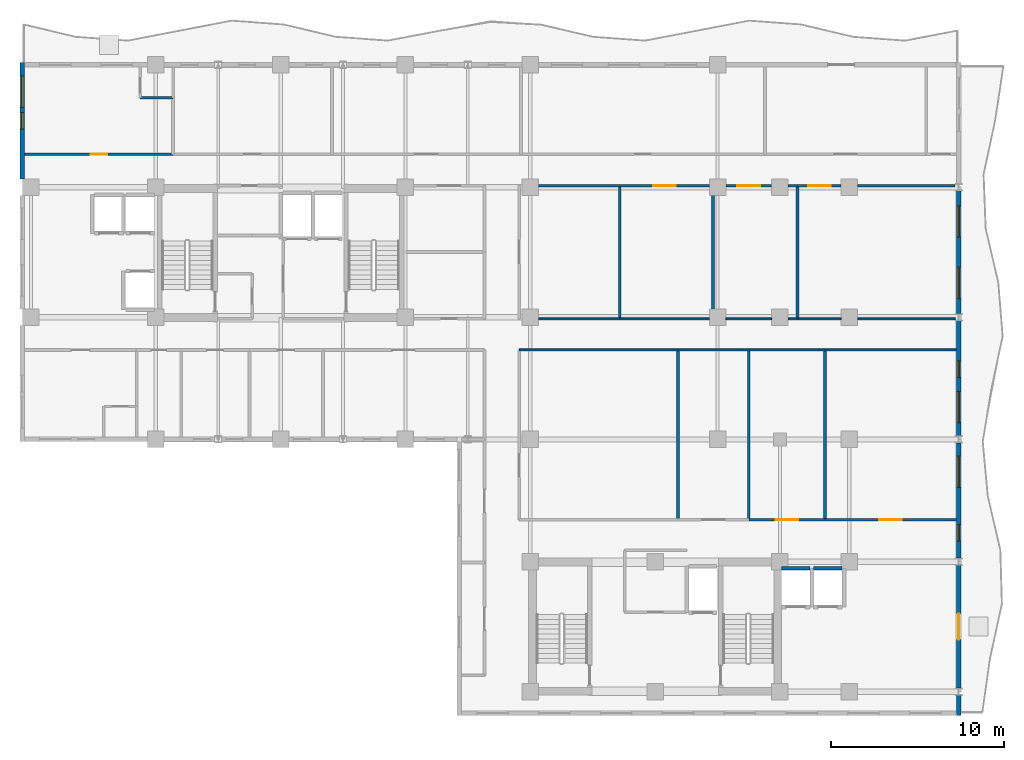
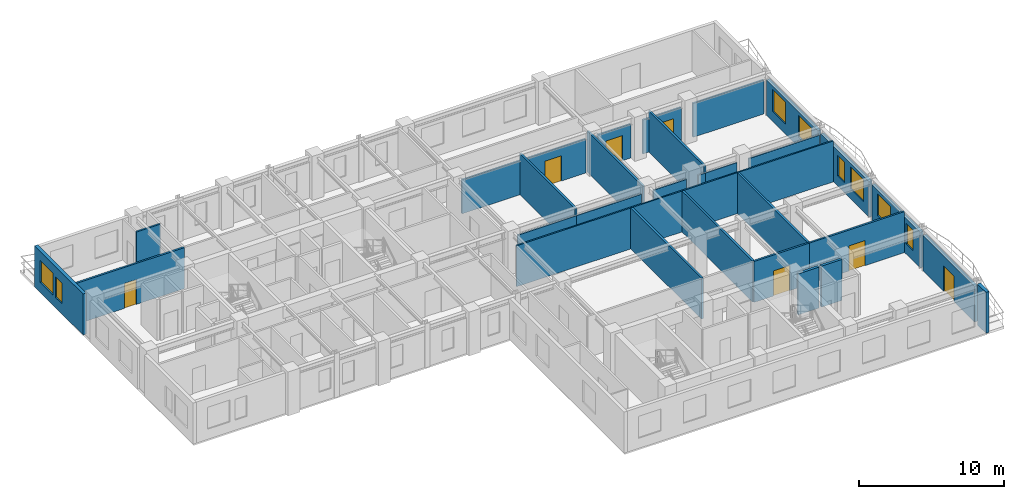
# One storey, part 8 of 13: 34 walls, 8 windows, 7 doors, 15 openings.
"""IFC4 building model written with IfcOpenShell, lengths in metres."""

import ifcopenshell
import ifcopenshell.guid

model = None  # the IFC model being written
_history = None  # IfcOwnerHistory: only IFC2X3 demands one
_inside = {}  # id of a spatial element -> (the spatial element, [elements in it])
_under = {}  # id of a project, library or spatial element -> (it, [spatial elements below it])
_declared = {}  # id of a project -> (the project, [libraries it declares])
_typed = {}  # id of a type object -> (the type object, [elements of that type])
_made_of = {}  # id of a material, layer set ... -> (it, [elements and type objects made of it])


def new_model(schema):
    """Start an empty IFC model of exactly this schema.

    Asked for "IFC4X3", IfcOpenShell would pick the latest addendum, in which some entities
    have other attributes; the version numbers below select the first issue.
    IFC2X3 requires an IfcOwnerHistory on every rooted entity: one is made here for all.
    """
    global model, _history
    if schema == "IFC4X3":
        model = ifcopenshell.file(schema_version=(4, 3, 0, 0))
    else:
        model = ifcopenshell.file(schema=schema)
    _inside.clear()
    _under.clear()
    _declared.clear()
    _typed.clear()
    _made_of.clear()
    _history = None
    if model.schema == "IFC2X3":
        org = make("IfcOrganization", Name="unknown")
        user = make(
            "IfcPersonAndOrganization",
            ThePerson=make("IfcPerson", FamilyName="unknown"),
            TheOrganization=org,
        )
        app = make(
            "IfcApplication",
            ApplicationDeveloper=org,
            Version="unknown",
            ApplicationFullName="unknown",
            ApplicationIdentifier="unknown",
        )
        _history = make(
            "IfcOwnerHistory",
            OwningUser=user,
            OwningApplication=app,
            ChangeAction="ADDED",
            CreationDate=0,
        )
    return model


def make(cls, **values):
    """One entity of the class cls with the attributes given. An attribute that is None is left unset."""
    return model.create_entity(
        cls, **{name: value for name, value in values.items() if value is not None}
    )


def rooted(cls, **values):
    """An entity with a GlobalId (a new one), such as an element, a storey or a relation."""
    return make(cls, GlobalId=ifcopenshell.guid.new(), OwnerHistory=_history, **values)


def si_unit(unit_type, name, prefix=None):
    """IfcSIUnit, for example si_unit("LENGTHUNIT", "METRE", prefix="MILLI")."""
    return make("IfcSIUnit", UnitType=unit_type, Prefix=prefix, Name=name)


def assignment(units):
    """IfcUnitAssignment: the units of a project."""
    return None if units is None else make("IfcUnitAssignment", Units=units)


def point(xyz):
    """IfcCartesianPoint."""
    return None if xyz is None else make("IfcCartesianPoint", Coordinates=xyz)


def direction(xyz):
    """IfcDirection."""
    return None if xyz is None else make("IfcDirection", DirectionRatios=xyz)


def frame(location, z_axis=None, x_axis=None):
    """IfcAxis2Placement3D, a coordinate frame: its origin and axes. An axis left out is left unset."""
    return make(
        "IfcAxis2Placement3D",
        Location=point(location),
        Axis=direction(z_axis),
        RefDirection=direction(x_axis),
    )


def frame_2d(location, x_axis=None):
    """IfcAxis2Placement2D, a coordinate frame in the plane: its origin and x axis."""
    return make(
        "IfcAxis2Placement2D", Location=point(location), RefDirection=direction(x_axis)
    )


def origin():
    """The frame at (0, 0, 0) with its axes left unset."""
    return frame((0.0, 0.0, 0.0))


def place(relative_to, where):
    """IfcLocalPlacement: puts the frame where relative to a parent placement (None: the world)."""
    return make(
        "IfcLocalPlacement", PlacementRelTo=relative_to, RelativePlacement=where
    )


def context(
    kind, dimensions, precision=None, world=None, true_north=None, identifier=None
):
    """IfcGeometricRepresentationContext, for example the 3D "Model" context."""
    return make(
        "IfcGeometricRepresentationContext",
        ContextIdentifier=identifier,
        ContextType=kind,
        CoordinateSpaceDimension=dimensions,
        Precision=precision,
        WorldCoordinateSystem=world,
        TrueNorth=true_north,
    )


def subcontext(parent, identifier, kind, view, scale=None):
    """IfcGeometricRepresentationSubContext, for example "Body" below "Model"."""
    return make(
        "IfcGeometricRepresentationSubContext",
        ContextIdentifier=identifier,
        ContextType=kind,
        ParentContext=parent,
        TargetScale=scale,
        TargetView=view,
    )


def project(units=None, contexts=None):
    """IfcProject with its units and contexts."""
    return rooted(
        "IfcProject",
        Name="project",
        RepresentationContexts=contexts,
        UnitsInContext=assignment(units),
    )


def spatial(cls, under=None, at=None, **own):
    """A site, building, storey or space (cls), placed at a placement, below another one or the project."""
    s = rooted(cls, ObjectPlacement=at, **own)
    if under is not None:
        _under.setdefault(under.id(), (under, []))[1].append(s)
    return s


def profile(cls, at=None, kind="AREA", **sizes):
    """A parametric profile (cls). Its sizes go by their IFC names, for example OverallWidth=200.0."""
    return make(cls, ProfileType=kind, Position=at, **sizes)


def rectangle(**sizes):
    """IfcRectangleProfileDef."""
    return profile("IfcRectangleProfileDef", **sizes)


def extrude(swept, where, along, depth):
    """IfcExtrudedAreaSolid: the profile swept, set in the frame where, extruded along a direction by depth."""
    return make(
        "IfcExtrudedAreaSolid",
        SweptArea=swept,
        Position=where,
        ExtrudedDirection=direction(along),
        Depth=depth,
    )


def shape(context_of_items, identifier, shape_type, items):
    """IfcShapeRepresentation: the items that make up one representation, for example the "Body"."""
    return make(
        "IfcShapeRepresentation",
        ContextOfItems=context_of_items,
        RepresentationIdentifier=identifier,
        RepresentationType=shape_type,
        Items=items,
    )


def material(Name=None, Category=None):
    """IfcMaterial."""
    return make("IfcMaterial", Name=Name, Category=Category)


def layer(
    of_material, thickness, ventilated=None, Name=None, Category=None, Priority=None
):
    """IfcMaterialLayer: one layer of a wall or slab, of a material (None: an air gap)."""
    return make(
        "IfcMaterialLayer",
        Material=of_material,
        LayerThickness=thickness,
        IsVentilated=ventilated,
        Name=Name,
        Category=Category,
        Priority=Priority,
    )


def layer_set(layers, Name=None):
    """IfcMaterialLayerSet."""
    return make("IfcMaterialLayerSet", MaterialLayers=layers, LayerSetName=Name)


def made_of(thing, what):
    """Note that an element or type object is made of a material, layer set ...; save() writes the relation."""
    if what is not None:
        _made_of.setdefault(what.id(), (what, []))[1].append(thing)
    return thing


def type_object(cls, material=None, **own):
    """A type object (cls), such as IfcWallType, which elements share."""
    return made_of(rooted(cls, **own), material)


def element(
    cls,
    number,
    at=None,
    inside=None,
    cuts=None,
    type_object=None,
    material=None,
    context=None,
    identifier="Body",
    shape_type=None,
    held_by="IfcProductDefinitionShape",
    body=None,
    shapes=None,
    **own,
):
    """One element of the class cls, such as IfcWall. Its Tag is "e" and its number.

    at: its placement. inside: the storey or other place that contains it. cuts: it is an
    opening in that element (IfcRelVoidsElement). A single representation is given by context,
    identifier, shape_type and body (its items); several are given by shapes. held_by: the class
    of the entity that holds the representations. save() writes the other relations.
    """
    e = rooted(cls, Tag="e%d" % number, ObjectPlacement=at, **own)
    if body is not None:
        shapes = [shape(context, identifier, shape_type, body)]
    if shapes is not None:
        e.Representation = make(held_by, Representations=shapes)
    if inside is not None:
        _inside.setdefault(inside.id(), (inside, []))[1].append(e)
    if cuts is not None:
        rooted(
            "IfcRelVoidsElement", RelatingBuildingElement=cuts, RelatedOpeningElement=e
        )
    if type_object is not None:
        _typed.setdefault(type_object.id(), (type_object, []))[1].append(e)
    return made_of(e, material)


def fill(opening, filler):
    """IfcRelFillsElement: the door or window that sits in an opening."""
    return rooted(
        "IfcRelFillsElement",
        RelatingOpeningElement=opening,
        RelatedBuildingElement=filler,
    )


def aggregate(whole, parts):
    """IfcRelAggregates: a whole, such as a stair, and the parts it consists of."""
    return rooted("IfcRelAggregates", RelatingObject=whole, RelatedObjects=parts)


def save(model, path):
    """Write the relations noted so far, then the file.

    IfcRelAggregates (storeys below a building ...), IfcRelContainedInSpatialStructure (elements
    in a storey), IfcRelDefinesByType, IfcRelAssociatesMaterial and IfcRelDeclares: one each for
    every whole, place, type object, material and project.
    """
    for whole, parts in _under.values():
        aggregate(whole, parts)
    for where, things in _inside.values():
        rooted(
            "IfcRelContainedInSpatialStructure",
            RelatedElements=things,
            RelatingStructure=where,
        )
    for kind, things in _typed.values():
        rooted("IfcRelDefinesByType", RelatedObjects=things, RelatingType=kind)
    for what, things in _made_of.values():
        rooted("IfcRelAssociatesMaterial", RelatedObjects=things, RelatingMaterial=what)
    for by, libraries in _declared.values():
        rooted("IfcRelDeclares", RelatingContext=by, RelatedDefinitions=libraries)
    model.write(path)


model = new_model("IFC4")

# Units and contexts
model_context = context("Model", 3, precision=1e-05, world=origin(), true_north=direction((0.0, 1.0)))
body_context = subcontext(model_context, "Body", "Model", "MODEL_VIEW")
ifc_project = project(units=[si_unit("LENGTHUNIT", "METRE"), si_unit("AREAUNIT", "SQUARE_METRE"), si_unit("VOLUMEUNIT", "CUBIC_METRE"), si_unit("PLANEANGLEUNIT", "RADIAN"), si_unit("MASSUNIT", "GRAM", prefix="KILO")], contexts=[model_context])

# Site, building, storey
site_placement = place(None, origin())
site = spatial("IfcSite", under=ifc_project, at=site_placement, CompositionType="ELEMENT")
building_placement = place(site_placement, origin())
building = spatial("IfcBuilding", under=site, at=building_placement, Name="Kaliganga Portal Commons", CompositionType="ELEMENT")
storey_placement = place(building_placement, frame((0.0, 0.0, 209.199951171875)))
storey = spatial("IfcBuildingStorey", under=building, at=storey_placement, Name="L53", CompositionType="ELEMENT", Elevation=209.199951171875)

# Wall
ifc_material_1 = material(Name="Insulated Aluminium-Clad Spandrel Assembly", Category="aluminium")
ifc_layer_1 = layer(ifc_material_1, 0.260009765625)
ifc_layer_set_1 = layer_set([ifc_layer_1], Name="Insulated Aluminium-Clad Spandrel Assembly")
wall_type_1 = type_object("IfcWallType", Name="WL-EXT-SPAND-260", PredefinedType="STANDARD", material=ifc_layer_set_1)
wall_1_placement = place(storey_placement, frame((60.699951171875, 6.84912109375, 0.0), z_axis=(0.0, 0.0, 1.0), x_axis=(0.0, -1.0, 0.0)))
element("IfcWall", 1, at=wall_1_placement, inside=storey, type_object=wall_type_1, Name="Exterior Envelope Wall L53 P1-E01-S1", PredefinedType="STANDARD", context=body_context, shape_type="SweptSolid", body=[
    extrude(rectangle(XDim=1.17919921875, YDim=0.260009765625, at=frame_2d((0.589599609375, 0.0))), origin(), (0.0, 0.0, 1.0), 3.449951171875),
])

# Wall, opening, door
wall_2_placement = place(storey_placement, frame((60.699951171875, 14.34912109375, 0.0), z_axis=(0.0, 0.0, 1.0), x_axis=(0.0, -1.0, 0.0)))
wall_2 = element("IfcWall", 2, at=wall_2_placement, inside=storey, type_object=wall_type_1, Name="Exterior Envelope Wall L53 P1-E01-S2", PredefinedType="STANDARD", context=body_context, shape_type="SweptSolid", body=[
    extrude(rectangle(XDim=7.09814453125, YDim=0.260009765625, at=frame_2d((3.549072265625, 0.0))), origin(), (0.0, 0.0, 1.0), 3.0),
])
opening_1_placement = place(wall_2_placement, frame((2.799072265625, 0.0, 0.0)))
opening_1 = element("IfcOpeningElement", 3, at=opening_1_placement, cuts=wall_2, Name="Opening BD-01", PredefinedType="OPENING", context=body_context, shape_type="SweptSolid", body=[
    extrude(rectangle(XDim=1.5, YDim=2.14990234375, at=frame_2d((0.75, 1.074951171875))), frame((0.0, 0.14013671875, 0.0), z_axis=(0.0, -1.0, 0.0), x_axis=(1.0, 0.0, 0.0)), (0.0, 0.0, 1.0), 0.280029296875),
])
ifc_material_2 = material(Name="Anodized Aluminium and Laminated Safety Glass", Category="aluminium")
door_type_1 = type_object("IfcDoorType", Name="DR-BALC-1500", OperationType="SLIDING_TO_LEFT", PredefinedType="DOOR", material=ifc_material_2)
door_1_placement = place(opening_1_placement, origin())
door_1 = element("IfcDoor", 4, at=door_1_placement, inside=storey, type_object=door_type_1, Name="Balcony Sliding Door L53 balc_east", OperationType="SLIDING_TO_LEFT", OverallHeight=2.14990234375, OverallWidth=1.5, PredefinedType="DOOR", context=body_context, shape_type="SweptSolid", body=[
    extrude(rectangle(XDim=1.5, YDim=2.14990234375, at=frame_2d((0.75, 1.074951171875))), frame((0.0, 0.02490234375, 0.0), z_axis=(0.0, -1.0, 0.0), x_axis=(1.0, 0.0, 0.0)), (0.0, 0.0, 1.0), 0.050048828125),
])
fill(opening_1, door_1)

# Wall, openings, windows
wall_3_placement = place(storey_placement, frame((60.699951171875, 21.39892578125, 0.0), z_axis=(0.0, 0.0, 1.0), x_axis=(0.0, -1.0, 0.0)))
wall_3 = element("IfcWall", 5, at=wall_3_placement, inside=storey, type_object=wall_type_1, Name="Exterior Envelope Wall L53 P1-E01-S3", PredefinedType="STANDARD", context=body_context, shape_type="SweptSolid", body=[
    extrude(rectangle(XDim=6.64794921875, YDim=0.260009765625, at=frame_2d((3.323974609375, 0.0))), origin(), (0.0, 0.0, 1.0), 3.0),
])
opening_2_placement = place(wall_3_placement, frame((0.761962890625, 0.0, 0.85009765625)))
opening_2 = element("IfcOpeningElement", 6, at=opening_2_placement, cuts=wall_3, Name="Opening W-01", PredefinedType="OPENING", context=body_context, shape_type="SweptSolid", body=[
    extrude(rectangle(XDim=1.800048828125, YDim=1.85009765625, at=frame_2d((0.89990234375, 0.925048828125))), frame((0.0, 0.14013671875, 0.0), z_axis=(0.0, -1.0, 0.0), x_axis=(1.0, 0.0, 0.0)), (0.0, 0.0, 1.0), 0.280029296875),
])
opening_3_placement = place(wall_3_placement, frame((4.71044921875, 0.0, 0.85009765625)))
opening_3 = element("IfcOpeningElement", 7, at=opening_3_placement, cuts=wall_3, Name="Opening W-04", PredefinedType="OPENING", context=body_context, shape_type="SweptSolid", body=[
    extrude(rectangle(XDim=0.949951171875, YDim=1.75, at=frame_2d((0.47509765625, 0.875))), frame((0.0, 0.14013671875, 0.0), z_axis=(0.0, -1.0, 0.0), x_axis=(1.0, 0.0, 0.0)), (0.0, 0.0, 1.0), 0.280029296875),
])
ifc_material_3 = material(Name="Thermally Broken Aluminium and Low-E Double Glazing", Category="aluminium")
window_type_1 = type_object("IfcWindowType", Name="WIN-NARROW-950", PartitioningType="SINGLE_PANEL", PredefinedType="WINDOW", material=ifc_material_3)
window_1_placement = place(opening_3_placement, origin())
window_1 = element("IfcWindow", 8, at=window_1_placement, inside=storey, type_object=window_type_1, Name="Facade Window L53-P1E01S3-N10", OverallHeight=1.75, OverallWidth=0.949951171875, PartitioningType="SINGLE_PANEL", PredefinedType="WINDOW", context=body_context, shape_type="SweptSolid", body=[
    extrude(rectangle(XDim=0.949951171875, YDim=1.75, at=frame_2d((0.47509765625, 0.875))), frame((0.0, 0.030029296875, 0.0), z_axis=(0.0, -1.0, 0.0), x_axis=(1.0, 0.0, 0.0)), (0.0, 0.0, 1.0), 0.06005859375),
])
fill(opening_3, window_1)
window_type_2 = type_object("IfcWindowType", Name="WIN-STD-1800", PartitioningType="DOUBLE_PANEL_VERTICAL", PredefinedType="WINDOW", material=ifc_material_3)
window_2_placement = place(opening_2_placement, origin())
window_2 = element("IfcWindow", 9, at=window_2_placement, inside=storey, type_object=window_type_2, Name="Facade Window L53-P1E01S3-00", OverallHeight=1.85009765625, OverallWidth=1.800048828125, PartitioningType="SINGLE_PANEL", PredefinedType="WINDOW", context=body_context, shape_type="SweptSolid", body=[
    extrude(rectangle(XDim=1.800048828125, YDim=1.85009765625, at=frame_2d((0.89990234375, 0.925048828125))), frame((0.0, 0.030029296875, 0.0), z_axis=(0.0, -1.0, 0.0), x_axis=(1.0, 0.0, 0.0)), (0.0, 0.0, 1.0), 0.06005859375),
])
fill(opening_2, window_2)

wall_4_placement = place(storey_placement, frame((60.699951171875, 28.448974609375, 0.0), z_axis=(0.0, 0.0, 1.0), x_axis=(0.0, -1.0, 0.0)))
wall_4 = element("IfcWall", 10, at=wall_4_placement, inside=storey, type_object=wall_type_1, Name="Exterior Envelope Wall L53 P1-E01-S4", PredefinedType="STANDARD", context=body_context, shape_type="SweptSolid", body=[
    extrude(rectangle(XDim=6.64794921875, YDim=0.260009765625, at=frame_2d((3.323974609375, 0.0))), origin(), (0.0, 0.0, 1.0), 3.0),
])
opening_4_placement = place(wall_4_placement, frame((4.0859375, 0.0, 0.85009765625)))
opening_4 = element("IfcOpeningElement", 11, at=opening_4_placement, cuts=wall_4, Name="Opening W-01", PredefinedType="OPENING", context=body_context, shape_type="SweptSolid", body=[
    extrude(rectangle(XDim=1.800048828125, YDim=1.85009765625, at=frame_2d((0.89990234375, 0.925048828125))), frame((0.0, 0.14013671875, 0.0), z_axis=(0.0, -1.0, 0.0), x_axis=(1.0, 0.0, 0.0)), (0.0, 0.0, 1.0), 0.280029296875),
])
opening_5_placement = place(wall_4_placement, frame((2.317138671875, 0.0, 0.85009765625)))
opening_5 = element("IfcOpeningElement", 12, at=opening_5_placement, cuts=wall_4, Name="Opening W-04", PredefinedType="OPENING", context=body_context, shape_type="SweptSolid", body=[
    extrude(rectangle(XDim=0.949951171875, YDim=1.75, at=frame_2d((0.47509765625, 0.875))), frame((0.0, 0.14013671875, 0.0), z_axis=(0.0, -1.0, 0.0), x_axis=(1.0, 0.0, 0.0)), (0.0, 0.0, 1.0), 0.280029296875),
])
window_3_placement = place(opening_5_placement, origin())
window_3 = element("IfcWindow", 13, at=window_3_placement, inside=storey, type_object=window_type_1, Name="Facade Window L53-P1E01S4-N5", OverallHeight=1.75, OverallWidth=0.949951171875, PartitioningType="SINGLE_PANEL", PredefinedType="WINDOW", context=body_context, shape_type="SweptSolid", body=[
    extrude(rectangle(XDim=0.949951171875, YDim=1.75, at=frame_2d((0.47509765625, 0.875))), frame((0.0, 0.030029296875, 0.0), z_axis=(0.0, -1.0, 0.0), x_axis=(1.0, 0.0, 0.0)), (0.0, 0.0, 1.0), 0.06005859375),
])
fill(opening_5, window_3)
window_4_placement = place(opening_4_placement, origin())
window_4 = element("IfcWindow", 14, at=window_4_placement, inside=storey, type_object=window_type_2, Name="Facade Window L53-P1E01S4-01", OverallHeight=1.85009765625, OverallWidth=1.800048828125, PartitioningType="SINGLE_PANEL", PredefinedType="WINDOW", context=body_context, shape_type="SweptSolid", body=[
    extrude(rectangle(XDim=1.800048828125, YDim=1.85009765625, at=frame_2d((0.89990234375, 0.925048828125))), frame((0.0, 0.030029296875, 0.0), z_axis=(0.0, -1.0, 0.0), x_axis=(1.0, 0.0, 0.0)), (0.0, 0.0, 1.0), 0.06005859375),
])
fill(opening_4, window_4)

wall_5_placement = place(storey_placement, frame((60.699951171875, 35.948974609375, 0.0), z_axis=(0.0, 0.0, 1.0), x_axis=(0.0, -1.0, 0.0)))
wall_5 = element("IfcWall", 15, at=wall_5_placement, inside=storey, type_object=wall_type_1, Name="Exterior Envelope Wall L53 P1-E01-S5", PredefinedType="STANDARD", context=body_context, shape_type="SweptSolid", body=[
    extrude(rectangle(XDim=7.097900390625, YDim=0.260009765625, at=frame_2d((3.548828125, 0.0))), origin(), (0.0, 0.0, 1.0), 3.0),
])
opening_6_placement = place(wall_5_placement, frame((0.87451171875, 0.0, 0.85009765625)))
opening_6 = element("IfcOpeningElement", 16, at=opening_6_placement, cuts=wall_5, Name="Opening W-01", PredefinedType="OPENING", context=body_context, shape_type="SweptSolid", body=[
    extrude(rectangle(XDim=1.800048828125, YDim=1.85009765625, at=frame_2d((0.89990234375, 0.925048828125))), frame((0.0, 0.14013671875, 0.0), z_axis=(0.0, -1.0, 0.0), x_axis=(1.0, 0.0, 0.0)), (0.0, 0.0, 1.0), 0.280029296875),
])
opening_7_placement = place(wall_5_placement, frame((4.423583984375, 0.0, 0.85009765625)))
opening_7 = element("IfcOpeningElement", 17, at=opening_7_placement, cuts=wall_5, Name="Opening W-01", PredefinedType="OPENING", context=body_context, shape_type="SweptSolid", body=[
    extrude(rectangle(XDim=1.800048828125, YDim=1.85009765625, at=frame_2d((0.89990234375, 0.925048828125))), frame((0.0, 0.14013671875, 0.0), z_axis=(0.0, -1.0, 0.0), x_axis=(1.0, 0.0, 0.0)), (0.0, 0.0, 1.0), 0.280029296875),
])
window_5_placement = place(opening_6_placement, origin())
window_5 = element("IfcWindow", 18, at=window_5_placement, inside=storey, type_object=window_type_2, Name="Facade Window L53-P1E01S5-00", OverallHeight=1.85009765625, OverallWidth=1.800048828125, PartitioningType="SINGLE_PANEL", PredefinedType="WINDOW", context=body_context, shape_type="SweptSolid", body=[
    extrude(rectangle(XDim=1.800048828125, YDim=1.85009765625, at=frame_2d((0.89990234375, 0.925048828125))), frame((0.0, 0.030029296875, 0.0), z_axis=(0.0, -1.0, 0.0), x_axis=(1.0, 0.0, 0.0)), (0.0, 0.0, 1.0), 0.06005859375),
])
fill(opening_6, window_5)
window_6_placement = place(opening_7_placement, origin())
window_6 = element("IfcWindow", 19, at=window_6_placement, inside=storey, type_object=window_type_2, Name="Facade Window L53-P1E01S5-01", OverallHeight=1.85009765625, OverallWidth=1.800048828125, PartitioningType="SINGLE_PANEL", PredefinedType="WINDOW", context=body_context, shape_type="SweptSolid", body=[
    extrude(rectangle(XDim=1.800048828125, YDim=1.85009765625, at=frame_2d((0.89990234375, 0.925048828125))), frame((0.0, 0.030029296875, 0.0), z_axis=(0.0, -1.0, 0.0), x_axis=(1.0, 0.0, 0.0)), (0.0, 0.0, 1.0), 0.06005859375),
])
fill(opening_7, window_6)

wall_6_placement = place(storey_placement, frame((6.699951171875, 36.6259765625, 0.0), z_axis=(0.0, 0.0, 1.0), x_axis=(0.0, 1.0, 0.0)))
wall_6 = element("IfcWall", 20, at=wall_6_placement, inside=storey, type_object=wall_type_1, Name="Exterior Envelope Wall L53 P1-E03-S1", PredefinedType="STANDARD", context=body_context, shape_type="SweptSolid", body=[
    extrude(rectangle(XDim=6.7041015625, YDim=0.260009765625, at=frame_2d((3.35205078125, 0.0))), origin(), (0.0, 0.0, 1.0), 3.449951171875),
])
opening_8_placement = place(wall_6_placement, frame((4.1279296875, 0.0, 0.85009765625)))
opening_8 = element("IfcOpeningElement", 21, at=opening_8_placement, cuts=wall_6, Name="Opening W-01", PredefinedType="OPENING", context=body_context, shape_type="SweptSolid", body=[
    extrude(rectangle(XDim=1.800048828125, YDim=1.85009765625, at=frame_2d((0.89990234375, 0.925048828125))), frame((0.0, 0.14013671875, 0.0), z_axis=(0.0, -1.0, 0.0), x_axis=(1.0, 0.0, 0.0)), (0.0, 0.0, 1.0), 0.280029296875),
])
opening_9_placement = place(wall_6_placement, frame((2.876953125, 0.0, 0.85009765625)))
opening_9 = element("IfcOpeningElement", 22, at=opening_9_placement, cuts=wall_6, Name="Opening W-04", PredefinedType="OPENING", context=body_context, shape_type="SweptSolid", body=[
    extrude(rectangle(XDim=0.949951171875, YDim=1.75, at=frame_2d((0.47509765625, 0.875))), frame((0.0, 0.14013671875, 0.0), z_axis=(0.0, -1.0, 0.0), x_axis=(1.0, 0.0, 0.0)), (0.0, 0.0, 1.0), 0.280029296875),
])
window_7_placement = place(opening_9_placement, origin())
window_7 = element("IfcWindow", 23, at=window_7_placement, inside=storey, type_object=window_type_1, Name="Facade Window L53-P1E03S1-N0", OverallHeight=1.75, OverallWidth=0.949951171875, PartitioningType="SINGLE_PANEL", PredefinedType="WINDOW", context=body_context, shape_type="SweptSolid", body=[
    extrude(rectangle(XDim=0.949951171875, YDim=1.75, at=frame_2d((0.47509765625, 0.875))), frame((0.0, 0.030029296875, 0.0), z_axis=(0.0, -1.0, 0.0), x_axis=(1.0, 0.0, 0.0)), (0.0, 0.0, 1.0), 0.06005859375),
])
fill(opening_9, window_7)
window_8_placement = place(opening_8_placement, origin())
window_8 = element("IfcWindow", 24, at=window_8_placement, inside=storey, type_object=window_type_2, Name="Facade Window L53-P1E03S1-01", OverallHeight=1.85009765625, OverallWidth=1.800048828125, PartitioningType="SINGLE_PANEL", PredefinedType="WINDOW", context=body_context, shape_type="SweptSolid", body=[
    extrude(rectangle(XDim=1.800048828125, YDim=1.85009765625, at=frame_2d((0.89990234375, 0.925048828125))), frame((0.0, 0.030029296875, 0.0), z_axis=(0.0, -1.0, 0.0), x_axis=(1.0, 0.0, 0.0)), (0.0, 0.0, 1.0), 0.06005859375),
])
fill(opening_8, window_8)

# Wall, opening, door
ifc_material_4 = material(Name="Fire-Rated Gypsum Board on Steel Stud", Category="steel")
ifc_layer_2 = layer(ifc_material_4, 0.14990234375)
ifc_layer_set_2 = layer_set([ifc_layer_2], Name="Fire-Rated Gypsum Board on Steel Stud")
wall_type_2 = type_object("IfcWallType", Name="WL-PART-CORR-150", PredefinedType="PARTITIONING", material=ifc_layer_set_2)
wall_7_placement = place(storey_placement, frame((51.419921875, 36.239990234375, 0.0), z_axis=(0.0, 0.0, 1.0), x_axis=(1.0, 0.0, 0.0)))
wall_7 = element("IfcWall", 25, at=wall_7_placement, inside=storey, type_object=wall_type_2, Name="Interior Partition L53-012", PredefinedType="PARTITIONING", context=body_context, shape_type="SweptSolid", body=[
    extrude(rectangle(XDim=2.505126953125, YDim=0.14990234375, at=frame_2d((1.25244140625, 0.0))), origin(), (0.0, 0.0, 1.0), 2.85009765625),
])
opening_10_placement = place(wall_7_placement, frame((0.6025390625, 0.0, 0.0)))
opening_10 = element("IfcOpeningElement", 26, at=opening_10_placement, cuts=wall_7, Name="Opening RD-03", PredefinedType="OPENING", context=body_context, shape_type="SweptSolid", body=[
    extrude(rectangle(XDim=1.300048828125, YDim=2.1201171875, at=frame_2d((0.64990234375, 1.06005859375))), frame((0.0, 0.0849609375, 0.0), z_axis=(0.0, -1.0, 0.0), x_axis=(1.0, 0.0, 0.0)), (0.0, 0.0, 1.0), 0.169921875),
])
ifc_material_5 = material(Name="Glazed Timber Seminar Vision Door", Category="wood")
door_type_2 = type_object("IfcDoorType", Name="DR-STUDY-1300", OperationType="DOUBLE_DOOR_SINGLE_SWING", PredefinedType="DOOR", material=ifc_material_5)
door_2_placement = place(opening_10_placement, origin())
door_2 = element("IfcDoor", 27, at=door_2_placement, inside=storey, type_object=door_type_2, Name="Interior Door L53-BK04", OperationType="DOUBLE_DOOR_SINGLE_SWING", OverallHeight=2.1201171875, OverallWidth=1.300048828125, PredefinedType="DOOR", context=body_context, shape_type="SweptSolid", body=[
    extrude(rectangle(XDim=1.300048828125, YDim=2.1201171875, at=frame_2d((0.64990234375, 1.06005859375))), frame((0.0, 0.02490234375, 0.0), z_axis=(0.0, -1.0, 0.0), x_axis=(1.0, 0.0, 0.0)), (0.0, 0.0, 1.0), 0.050048828125),
])
fill(opening_10, door_2)

# Wall
wall_8_placement = place(storey_placement, frame((54.875, 36.239990234375, 0.0), z_axis=(0.0, 0.0, 1.0), x_axis=(1.0, 0.0, 0.0)))
element("IfcWall", 28, at=wall_8_placement, inside=storey, type_object=wall_type_2, Name="Interior Partition L53-013", PredefinedType="PARTITIONING", context=body_context, shape_type="SweptSolid", body=[
    extrude(rectangle(XDim=5.62548828125, YDim=0.14990234375, at=frame_2d((2.812744140625, 0.0))), origin(), (0.0, 0.0, 1.0), 2.85009765625),
])

# Wall, opening, door
wall_9_placement = place(storey_placement, frame((6.83203125, 38.0400390625, 0.0), z_axis=(0.0, 0.0, 1.0), x_axis=(1.0, 0.0, 0.0)))
wall_9 = element("IfcWall", 29, at=wall_9_placement, inside=storey, type_object=wall_type_2, Name="Interior Partition L53-016", PredefinedType="PARTITIONING", context=body_context, shape_type="SweptSolid", body=[
    extrude(rectangle(XDim=8.56787109375, YDim=0.14990234375, at=frame_2d((4.283935546875, 0.0))), origin(), (0.0, 0.0, 1.0), 3.449951171875),
])
opening_11_placement = place(wall_9_placement, frame((3.80908203125, 0.0, 0.0)))
opening_11 = element("IfcOpeningElement", 30, at=opening_11_placement, cuts=wall_9, Name="Opening UD-01", PredefinedType="OPENING", context=body_context, shape_type="SweptSolid", body=[
    extrude(rectangle(XDim=0.949951171875, YDim=2.10009765625, at=frame_2d((0.47509765625, 1.050048828125))), frame((0.0, 0.0849609375, 0.0), z_axis=(0.0, -1.0, 0.0), x_axis=(1.0, 0.0, 0.0)), (0.0, 0.0, 1.0), 0.169921875),
])
ifc_material_6 = material(Name="Solid-Core Timber Acoustic Fire Door", Category="wood")
door_type_3 = type_object("IfcDoorType", Name="DR-UNIT-950", OperationType="NOTDEFINED", PredefinedType="DOOR", material=ifc_material_6)
door_3_placement = place(opening_11_placement, origin())
door_3 = element("IfcDoor", 31, at=door_3_placement, inside=storey, type_object=door_type_3, Name="Interior Door L53-AN01", OperationType="SINGLE_SWING_LEFT", OverallHeight=2.10009765625, OverallWidth=0.949951171875, PredefinedType="DOOR", context=body_context, shape_type="SweptSolid", body=[
    extrude(rectangle(XDim=0.949951171875, YDim=2.10009765625, at=frame_2d((0.47509765625, 1.050048828125))), frame((0.0, 0.02490234375, 0.0), z_axis=(0.0, -1.0, 0.0), x_axis=(1.0, 0.0, 0.0)), (0.0, 0.0, 1.0), 0.050048828125),
])
fill(opening_11, door_3)

wall_10_placement = place(storey_placement, frame((53.0, 16.9599609375, 0.0), z_axis=(0.0, 0.0, 1.0), x_axis=(1.0, 0.0, 0.0)))
wall_10 = element("IfcWall", 32, at=wall_10_placement, inside=storey, type_object=wall_type_2, Name="Interior Partition L53-017", PredefinedType="PARTITIONING", context=body_context, shape_type="SweptSolid", body=[
    extrude(rectangle(XDim=7.568115234375, YDim=0.14990234375, at=frame_2d((3.7841796875, 0.0))), origin(), (0.0, 0.0, 1.0), 3.449951171875),
])
opening_12_placement = place(wall_10_placement, frame((3.134033203125, 0.0, 0.0)))
opening_12 = element("IfcOpeningElement", 33, at=opening_12_placement, cuts=wall_10, Name="Opening RD-03", PredefinedType="OPENING", context=body_context, shape_type="SweptSolid", body=[
    extrude(rectangle(XDim=1.300048828125, YDim=2.1201171875, at=frame_2d((0.64990234375, 1.06005859375))), frame((0.0, 0.0849609375, 0.0), z_axis=(0.0, -1.0, 0.0), x_axis=(1.0, 0.0, 0.0)), (0.0, 0.0, 1.0), 0.169921875),
])
door_4_placement = place(opening_12_placement, origin())
door_4 = element("IfcDoor", 34, at=door_4_placement, inside=storey, type_object=door_type_2, Name="Interior Door L53-BM03", OperationType="DOUBLE_DOOR_SINGLE_SWING", OverallHeight=2.1201171875, OverallWidth=1.300048828125, PredefinedType="DOOR", context=body_context, shape_type="SweptSolid", body=[
    extrude(rectangle(XDim=1.300048828125, YDim=2.1201171875, at=frame_2d((0.64990234375, 1.06005859375))), frame((0.0, 0.02490234375, 0.0), z_axis=(0.0, -1.0, 0.0), x_axis=(1.0, 0.0, 0.0)), (0.0, 0.0, 1.0), 0.050048828125),
])
fill(opening_12, door_4)

# Wall
wall_11_placement = place(storey_placement, frame((36.47509765625, 36.239990234375, 0.0), z_axis=(0.0, 0.0, 1.0), x_axis=(1.0, 0.0, 0.0)))
element("IfcWall", 35, at=wall_11_placement, inside=storey, type_object=wall_type_2, Name="Interior Partition L53-022", PredefinedType="PARTITIONING", context=body_context, shape_type="SweptSolid", body=[
    extrude(rectangle(XDim=4.684814453125, YDim=0.14990234375, at=frame_2d((2.34228515625, 0.0))), origin(), (0.0, 0.0, 1.0), 2.85009765625),
])

# Wall, opening, door
wall_12_placement = place(storey_placement, frame((41.159912109375, 36.239990234375, 0.0), z_axis=(0.0, 0.0, 1.0), x_axis=(1.0, 0.0, 0.0)))
wall_12 = element("IfcWall", 36, at=wall_12_placement, inside=storey, type_object=wall_type_2, Name="Interior Partition L53-023", PredefinedType="PARTITIONING", context=body_context, shape_type="SweptSolid", body=[
    extrude(rectangle(XDim=5.1650390625, YDim=0.14990234375, at=frame_2d((2.58251953125, 0.0))), origin(), (0.0, 0.0, 1.0), 2.85009765625),
])
opening_13_placement = place(wall_12_placement, frame((1.9326171875, 0.0, 0.0)))
opening_13 = element("IfcOpeningElement", 37, at=opening_13_placement, cuts=wall_12, Name="Opening RD-03", PredefinedType="OPENING", context=body_context, shape_type="SweptSolid", body=[
    extrude(rectangle(XDim=1.300048828125, YDim=2.1201171875, at=frame_2d((0.64990234375, 1.06005859375))), frame((0.0, 0.0849609375, 0.0), z_axis=(0.0, -1.0, 0.0), x_axis=(1.0, 0.0, 0.0)), (0.0, 0.0, 1.0), 0.169921875),
])
door_5_placement = place(opening_13_placement, origin())
door_5 = element("IfcDoor", 38, at=door_5_placement, inside=storey, type_object=door_type_2, Name="Interior Door L53-BK02", OperationType="DOUBLE_DOOR_SINGLE_SWING", OverallHeight=2.1201171875, OverallWidth=1.300048828125, PredefinedType="DOOR", context=body_context, shape_type="SweptSolid", body=[
    extrude(rectangle(XDim=1.300048828125, YDim=2.1201171875, at=frame_2d((0.64990234375, 1.06005859375))), frame((0.0, 0.02490234375, 0.0), z_axis=(0.0, -1.0, 0.0), x_axis=(1.0, 0.0, 0.0)), (0.0, 0.0, 1.0), 0.050048828125),
])
fill(opening_13, door_5)

wall_13_placement = place(storey_placement, frame((47.27490234375, 36.239990234375, 0.0), z_axis=(0.0, 0.0, 1.0), x_axis=(1.0, 0.0, 0.0)))
wall_13 = element("IfcWall", 39, at=wall_13_placement, inside=storey, type_object=wall_type_2, Name="Interior Partition L53-025", PredefinedType="PARTITIONING", context=body_context, shape_type="SweptSolid", body=[
    extrude(rectangle(XDim=2.650146484375, YDim=0.14990234375, at=frame_2d((1.3251953125, 0.0))), origin(), (0.0, 0.0, 1.0), 2.85009765625),
])
opening_14_placement = place(wall_13_placement, frame((0.675048828125, 0.0, 0.0)))
opening_14 = element("IfcOpeningElement", 40, at=opening_14_placement, cuts=wall_13, Name="Opening RD-03", PredefinedType="OPENING", context=body_context, shape_type="SweptSolid", body=[
    extrude(rectangle(XDim=1.300048828125, YDim=2.1201171875, at=frame_2d((0.64990234375, 1.06005859375))), frame((0.0, 0.0849609375, 0.0), z_axis=(0.0, -1.0, 0.0), x_axis=(1.0, 0.0, 0.0)), (0.0, 0.0, 1.0), 0.169921875),
])
door_6_placement = place(opening_14_placement, origin())
door_6 = element("IfcDoor", 41, at=door_6_placement, inside=storey, type_object=door_type_2, Name="Interior Door L53-BK03", OperationType="DOUBLE_DOOR_SINGLE_SWING", OverallHeight=2.1201171875, OverallWidth=1.300048828125, PredefinedType="DOOR", context=body_context, shape_type="SweptSolid", body=[
    extrude(rectangle(XDim=1.300048828125, YDim=2.1201171875, at=frame_2d((0.64990234375, 1.06005859375))), frame((0.0, 0.02490234375, 0.0), z_axis=(0.0, -1.0, 0.0), x_axis=(1.0, 0.0, 0.0)), (0.0, 0.0, 1.0), 0.050048828125),
])
fill(opening_14, door_6)

# Wall
wall_14_placement = place(storey_placement, frame((50.875, 36.239990234375, 0.0), z_axis=(0.0, 0.0, 1.0), x_axis=(1.0, 0.0, 0.0)))
element("IfcWall", 42, at=wall_14_placement, inside=storey, type_object=wall_type_2, Name="Interior Partition L53-026", PredefinedType="PARTITIONING", context=body_context, shape_type="SweptSolid", body=[
    extrude(rectangle(XDim=0.544921875, YDim=0.14990234375, at=frame_2d((0.2724609375, 0.0))), origin(), (0.0, 0.0, 1.0), 2.85009765625),
])

# Wall, opening, door
wall_15_placement = place(storey_placement, frame((48.60009765625, 16.9599609375, 0.0), z_axis=(0.0, 0.0, 1.0), x_axis=(1.0, 0.0, 0.0)))
wall_15 = element("IfcWall", 43, at=wall_15_placement, inside=storey, type_object=wall_type_2, Name="Interior Partition L53-029", PredefinedType="PARTITIONING", context=body_context, shape_type="SweptSolid", body=[
    extrude(rectangle(XDim=4.39990234375, YDim=0.14990234375, at=frame_2d((2.199951171875, 0.0))), origin(), (0.0, 0.0, 1.0), 3.449951171875),
])
opening_15_placement = place(wall_15_placement, frame((1.550048828125, 0.0, 0.0)))
opening_15 = element("IfcOpeningElement", 44, at=opening_15_placement, cuts=wall_15, Name="Opening RD-03", PredefinedType="OPENING", context=body_context, shape_type="SweptSolid", body=[
    extrude(rectangle(XDim=1.300048828125, YDim=2.1201171875, at=frame_2d((0.64990234375, 1.06005859375))), frame((0.0, 0.0849609375, 0.0), z_axis=(0.0, -1.0, 0.0), x_axis=(1.0, 0.0, 0.0)), (0.0, 0.0, 1.0), 0.169921875),
])
door_7_placement = place(opening_15_placement, origin())
door_7 = element("IfcDoor", 45, at=door_7_placement, inside=storey, type_object=door_type_2, Name="Interior Door L53-BM02B", OperationType="DOUBLE_DOOR_SINGLE_SWING", OverallHeight=2.1201171875, OverallWidth=1.300048828125, PredefinedType="DOOR", context=body_context, shape_type="SweptSolid", body=[
    extrude(rectangle(XDim=1.300048828125, YDim=2.1201171875, at=frame_2d((0.64990234375, 1.06005859375))), frame((0.0, 0.02490234375, 0.0), z_axis=(0.0, -1.0, 0.0), x_axis=(1.0, 0.0, 0.0)), (0.0, 0.0, 1.0), 0.050048828125),
])
fill(opening_15, door_7)

# Walls
ifc_material_7 = material(Name="Moisture-Resistant Gypsum Partition", Category="gypsum")
ifc_layer_3 = layer(ifc_material_7, 0.114990234375)
ifc_layer_set_3 = layer_set([ifc_layer_3], Name="Moisture-Resistant Gypsum Partition")
wall_type_3 = type_object("IfcWallType", Name="WL-PART-ROOM-115", PredefinedType="PARTITIONING", material=ifc_layer_set_3)
wall_16_placement = place(storey_placement, frame((51.419921875, 28.56005859375, 0.0), z_axis=(0.0, 0.0, 1.0), x_axis=(1.0, 0.0, 0.0)))
element("IfcWall", 46, at=wall_16_placement, inside=storey, type_object=wall_type_3, Name="Interior Partition L53-049", PredefinedType="PARTITIONING", context=body_context, shape_type="SweptSolid", body=[
    extrude(rectangle(XDim=2.505126953125, YDim=0.114990234375, at=frame_2d((1.25244140625, 0.0))), origin(), (0.0, 0.0, 1.0), 2.85009765625),
])
wall_17_placement = place(storey_placement, frame((54.875, 28.56005859375, 0.0), z_axis=(0.0, 0.0, 1.0), x_axis=(1.0, 0.0, 0.0)))
element("IfcWall", 47, at=wall_17_placement, inside=storey, type_object=wall_type_3, Name="Interior Partition L53-050", PredefinedType="PARTITIONING", context=body_context, shape_type="SweptSolid", body=[
    extrude(rectangle(XDim=5.62548828125, YDim=0.114990234375, at=frame_2d((2.812744140625, 0.0))), origin(), (0.0, 0.0, 1.0), 2.85009765625),
])
wall_18_placement = place(storey_placement, frame((35.360107421875, 26.760009765625, 0.0), z_axis=(0.0, 0.0, 1.0), x_axis=(1.0, 0.0, 0.0)))
element("IfcWall", 48, at=wall_18_placement, inside=storey, type_object=wall_type_3, Name="Interior Partition L53-051", PredefinedType="PARTITIONING", context=body_context, shape_type="SweptSolid", body=[
    extrude(rectangle(XDim=9.159912109375, YDim=0.114990234375, at=frame_2d((4.580078125, 0.0))), origin(), (0.0, 0.0, 1.0), 3.449951171875),
])
wall_19_placement = place(storey_placement, frame((53.0, 26.760009765625, 0.0), z_axis=(0.0, 0.0, 1.0), x_axis=(1.0, 0.0, 0.0)))
element("IfcWall", 49, at=wall_19_placement, inside=storey, type_object=wall_type_3, Name="Interior Partition L53-052", PredefinedType="PARTITIONING", context=body_context, shape_type="SweptSolid", body=[
    extrude(rectangle(XDim=7.568115234375, YDim=0.114990234375, at=frame_2d((3.7841796875, 0.0))), origin(), (0.0, 0.0, 1.0), 3.449951171875),
])
wall_20_placement = place(storey_placement, frame((36.47509765625, 28.56005859375, 0.0), z_axis=(0.0, 0.0, 1.0), x_axis=(1.0, 0.0, 0.0)))
element("IfcWall", 50, at=wall_20_placement, inside=storey, type_object=wall_type_3, Name="Interior Partition L53-056", PredefinedType="PARTITIONING", context=body_context, shape_type="SweptSolid", body=[
    extrude(rectangle(XDim=4.684814453125, YDim=0.114990234375, at=frame_2d((2.34228515625, 0.0))), origin(), (0.0, 0.0, 1.0), 2.85009765625),
])
wall_21_placement = place(storey_placement, frame((41.159912109375, 28.56005859375, 0.0), z_axis=(0.0, 0.0, 1.0), x_axis=(1.0, 0.0, 0.0)))
element("IfcWall", 51, at=wall_21_placement, inside=storey, type_object=wall_type_3, Name="Interior Partition L53-057", PredefinedType="PARTITIONING", context=body_context, shape_type="SweptSolid", body=[
    extrude(rectangle(XDim=5.1650390625, YDim=0.114990234375, at=frame_2d((2.58251953125, 0.0))), origin(), (0.0, 0.0, 1.0), 2.85009765625),
])
wall_22_placement = place(storey_placement, frame((47.27490234375, 28.56005859375, 0.0), z_axis=(0.0, 0.0, 1.0), x_axis=(1.0, 0.0, 0.0)))
element("IfcWall", 52, at=wall_22_placement, inside=storey, type_object=wall_type_3, Name="Interior Partition L53-065", PredefinedType="PARTITIONING", context=body_context, shape_type="SweptSolid", body=[
    extrude(rectangle(XDim=2.650146484375, YDim=0.114990234375, at=frame_2d((1.3251953125, 0.0))), origin(), (0.0, 0.0, 1.0), 2.85009765625),
])
wall_23_placement = place(storey_placement, frame((50.875, 28.56005859375, 0.0), z_axis=(0.0, 0.0, 1.0), x_axis=(1.0, 0.0, 0.0)))
element("IfcWall", 53, at=wall_23_placement, inside=storey, type_object=wall_type_3, Name="Interior Partition L53-066", PredefinedType="PARTITIONING", context=body_context, shape_type="SweptSolid", body=[
    extrude(rectangle(XDim=0.544921875, YDim=0.114990234375, at=frame_2d((0.2724609375, 0.0))), origin(), (0.0, 0.0, 1.0), 2.85009765625),
])
wall_24_placement = place(storey_placement, frame((48.60009765625, 26.760009765625, 0.0), z_axis=(0.0, 0.0, 1.0), x_axis=(1.0, 0.0, 0.0)))
element("IfcWall", 54, at=wall_24_placement, inside=storey, type_object=wall_type_3, Name="Interior Partition L53-069", PredefinedType="PARTITIONING", context=body_context, shape_type="SweptSolid", body=[
    extrude(rectangle(XDim=4.39990234375, YDim=0.114990234375, at=frame_2d((2.199951171875, 0.0))), origin(), (0.0, 0.0, 1.0), 3.449951171875),
])
wall_25_placement = place(storey_placement, frame((44.52001953125, 26.760009765625, 0.0), z_axis=(0.0, 0.0, 1.0), x_axis=(1.0, 0.0, 0.0)))
element("IfcWall", 55, at=wall_25_placement, inside=storey, type_object=wall_type_3, Name="Interior Partition L53-070", PredefinedType="PARTITIONING", context=body_context, shape_type="SweptSolid", body=[
    extrude(rectangle(XDim=4.080078125, YDim=0.114990234375, at=frame_2d((2.0400390625, 0.0))), origin(), (0.0, 0.0, 1.0), 3.449951171875),
])
ifc_material_8 = material(Name="Twin-Stud Acoustic Gypsum Partition", Category="gypsum")
ifc_layer_4 = layer(ifc_material_8, 0.1650390625)
ifc_layer_set_4 = layer_set([ifc_layer_4], Name="Twin-Stud Acoustic Gypsum Partition")
wall_type_4 = type_object("IfcWallType", Name="WL-PART-UNIT-165", PredefinedType="PARTITIONING", material=ifc_layer_set_4)
for number, where, z_axis, x_axis, name in (
    (56, (44.52001953125, 16.9599609375, 0.0), (0.0, 0.0, 1.0), (0.0, 1.0, 0.0), "Interior Partition L53-046"),
    (57, (48.60009765625, 16.9599609375, 0.0), (0.0, 0.0, 1.0), (0.0, 1.0, 0.0), "Interior Partition L53-047"),
    (58, (53.0, 16.9599609375, 0.0), (0.0, 0.0, 1.0), (0.0, 1.0, 0.0), "Interior Partition L53-048"),
):
    element("IfcWall", number, at=place(storey_placement, frame(where, z_axis=z_axis, x_axis=x_axis)), inside=storey, type_object=wall_type_4, Name=name, PredefinedType="PARTITIONING", context=body_context, shape_type="SweptSolid", body=[
        extrude(rectangle(XDim=9.800048828125, YDim=0.1650390625, at=frame_2d((4.89990234375, 0.0))), origin(), (0.0, 0.0, 1.0), 3.449951171875),
    ])
for number, where, z_axis, x_axis, name in (
    (59, (41.159912109375, 28.56005859375, 0.0), (0.0, 0.0, 1.0), (0.0, 1.0, 0.0), "Interior Partition L53-053"),
    (60, (46.5400390625, 28.56005859375, 0.0), (0.0, 0.0, 1.0), (0.0, 1.0, 0.0), "Interior Partition L53-054"),
    (61, (51.419921875, 28.56005859375, 0.0), (0.0, 0.0, 1.0), (0.0, 1.0, 0.0), "Interior Partition L53-055"),
):
    element("IfcWall", number, at=place(storey_placement, frame(where, z_axis=z_axis, x_axis=x_axis)), inside=storey, type_object=wall_type_4, Name=name, PredefinedType="PARTITIONING", context=body_context, shape_type="SweptSolid", body=[
        extrude(rectangle(XDim=7.679931640625, YDim=0.1650390625, at=frame_2d((3.83984375, 0.0))), origin(), (0.0, 0.0, 1.0), 3.449951171875),
    ])
ifc_material_9 = material(Name="Cement-Board Wet-Room Partition", Category="gypsum")
ifc_layer_5 = layer(ifc_material_9, 0.135009765625)
ifc_layer_set_5 = layer_set([ifc_layer_5], Name="Cement-Board Wet-Room Partition")
wall_type_5 = type_object("IfcWallType", Name="WL-PART-WET-135", PredefinedType="PARTITIONING", material=ifc_layer_set_5)
wall_26_placement = place(storey_placement, frame((13.5, 41.300048828125, 0.0), z_axis=(0.0, 0.0, 1.0), x_axis=(1.0, 0.0, 0.0)))
element("IfcWall", 62, at=wall_26_placement, inside=storey, type_object=wall_type_5, Name="Interior Partition L53-004", PredefinedType="PARTITIONING", context=body_context, shape_type="SweptSolid", body=[
    extrude(rectangle(XDim=1.89990234375, YDim=0.135009765625, at=frame_2d((0.949951171875, 0.0))), origin(), (0.0, 0.0, 1.0), 3.449951171875),
])
ifc_material_10 = material(Name="Fire-Rated Shaftwall Masonry Assembly", Category="masonry")
ifc_layer_6 = layer(ifc_material_10, 0.199951171875)
ifc_layer_set_6 = layer_set([ifc_layer_6], Name="Fire-Rated Shaftwall Masonry Assembly")
wall_type_6 = type_object("IfcWallType", Name="WL-SHAFT-200", PredefinedType="PARTITIONING", material=ifc_layer_set_6)
wall_27_placement = place(storey_placement, frame((50.47509765625, 14.1650390625, 0.0), z_axis=(0.0, 0.0, 1.0), x_axis=(1.0, 0.0, 0.0)))
element("IfcWall", 63, at=wall_27_placement, inside=storey, type_object=wall_type_6, Name="Lift PL-B3 Hoistway Shaft Wall L53-N", PredefinedType="PARTITIONING", context=body_context, shape_type="SweptSolid", body=[
    extrude(rectangle(XDim=1.64990234375, YDim=0.199951171875, at=frame_2d((0.824951171875, 0.0))), origin(), (0.0, 0.0, 1.0), 3.449951171875),
])
wall_28_placement = place(storey_placement, frame((52.324951171875, 14.1650390625, 0.0), z_axis=(0.0, 0.0, 1.0), x_axis=(1.0, 0.0, 0.0)))
element("IfcWall", 64, at=wall_28_placement, inside=storey, type_object=wall_type_6, Name="Lift PL-B4 Hoistway Shaft Wall L53-N", PredefinedType="PARTITIONING", context=body_context, shape_type="SweptSolid", body=[
    extrude(rectangle(XDim=1.650146484375, YDim=0.199951171875, at=frame_2d((0.8251953125, 0.0))), origin(), (0.0, 0.0, 1.0), 3.449951171875),
])

save(model, "model.ifc")
